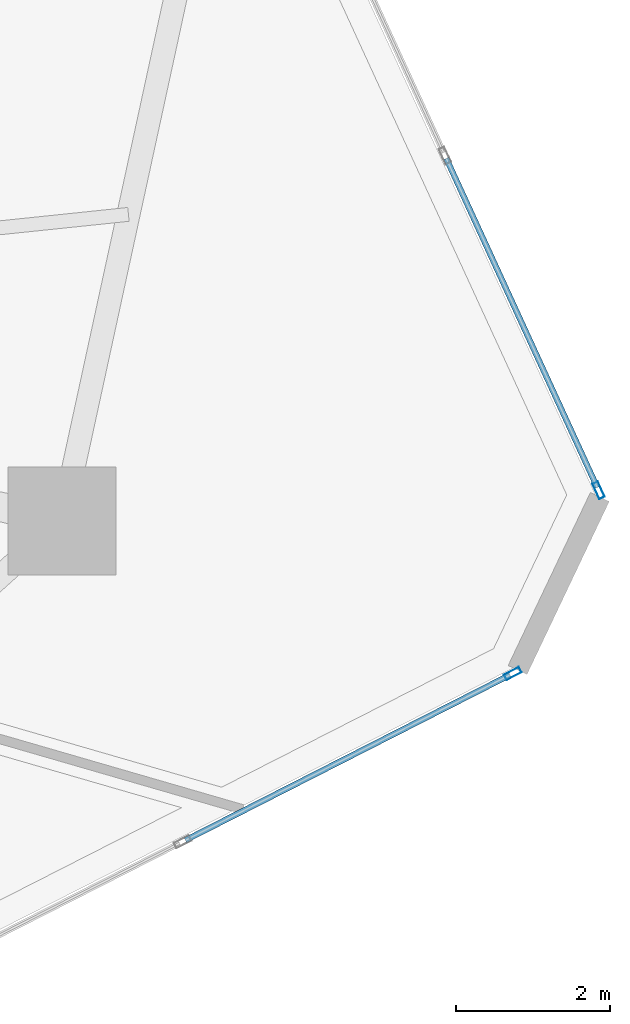
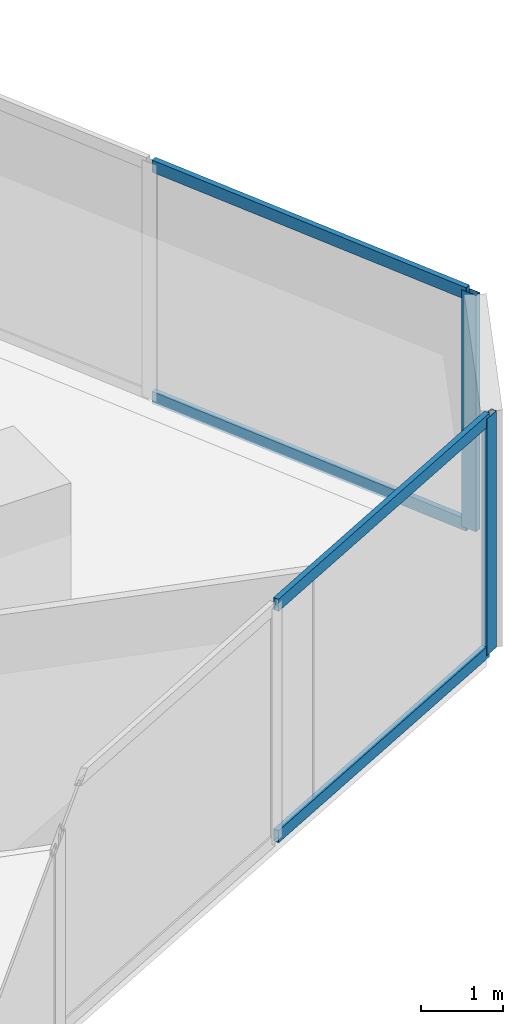
# One storey, part 11 of 24: 6 members, 2 elements without a shape of their own.
"""IFC4 building model written with IfcOpenShell, lengths in metres."""

from ifc_helpers import new_model, si_unit, direction, frame, origin, origin_2d, place, context, subcontext, project, spatial, hollow_rectangle, extrude, source, transform, mapped, material, layer, layer_set, material_profile, profile_set, type_object, type_shapes, element, aggregate, save


model = new_model("IFC4")

# Units and contexts
model_context = context("Model", 3, precision=1e-05, world=origin(), true_north=direction((0.0, 1.0)))
body_context = subcontext(model_context, "Body", "Model", "MODEL_VIEW")
ifc_project = project(units=[si_unit("LENGTHUNIT", "METRE"), si_unit("AREAUNIT", "SQUARE_METRE"), si_unit("VOLUMEUNIT", "CUBIC_METRE"), si_unit("PLANEANGLEUNIT", "RADIAN"), si_unit("MASSUNIT", "GRAM", prefix="KILO")], contexts=[model_context])

# Site, building, storey
site_placement = place(None, origin())
site = spatial("IfcSite", under=ifc_project, at=site_placement, CompositionType="ELEMENT")
building_placement = place(site_placement, origin())
building = spatial("IfcBuilding", under=site, at=building_placement, Name="Talar Marvaseh", CompositionType="ELEMENT")
storey_placement = place(building_placement, frame((0.0, 0.0, 39.199951171875)))
storey = spatial("IfcBuildingStorey", under=building, at=storey_placement, Name="L09", CompositionType="ELEMENT", Elevation=39.199951171875)

# Curtain wall, member
ifc_material = material(Name="Architectural Aluminium", Category="aluminium")
ifc_layer = layer(ifc_material, 0.219970703125)
ifc_layer_set = layer_set([ifc_layer], Name="Architectural Aluminium")
curtain_wall_type = type_object("IfcCurtainWallType", Name="Unitised Low-E Museum Curtain Wall Z1", PredefinedType="NOTDEFINED", material=ifc_layer_set)
curtain_wall_1_placement = place(storey_placement, origin())
curtain_wall_1 = element("IfcCurtainWall", 1, at=curtain_wall_1_placement, inside=storey, type_object=curtain_wall_type, Name="L09 Unitised Low-E Museum Curtain Wall Z1", PredefinedType="NOTDEFINED")
ifc_material_profile_1 = material_profile(ifc_material, hollow_rectangle(XDim=0.080078125, YDim=0.219970703125, WallThickness=0.0048828125, at=origin_2d()), Name="RHS220x80x5")
ifc_profile_set_1 = profile_set([ifc_material_profile_1], Name="Architectural Aluminium")
member_type_1 = type_object("IfcMemberType", Name="Unitised Curtain Wall Heavy Mullion RHS220x80x5", PredefinedType="MULLION", material=ifc_profile_set_1)
shared_shape_1 = source(origin(), body_context, "Body", "SweptSolid", [
    extrude(hollow_rectangle(XDim=0.080078125, YDim=0.219970703125, WallThickness=0.0048828125, at=origin_2d()), origin(), (0.0, 0.0, 1.0), 3.52001953125),
])
type_shapes(member_type_1, [shared_shape_1])
member_1_placement = place(storey_placement, frame((52.003662109375, 23.23583984375, 0.0), z_axis=(0.0, 0.0, 1.0), x_axis=(0.908844674972, 0.417134698599, 0.0)))
member_1 = element("IfcMember", 2, at=member_1_placement, type_object=member_type_1, Name="CW-Z1 mullion 5", PredefinedType="MULLION", context=body_context, shape_type="MappedRepresentation", body=[
    mapped(shared_shape_1, transform((0.0, 0.0, 0.0), x_axis=(1.0, 0.0, 0.0), y_axis=(0.0, 1.0, 0.0), z_axis=(0.0, 0.0, 1.0), scale=1.0)),
])

# Curtain wall, members
curtain_wall_2_placement = place(storey_placement, origin())
curtain_wall_2 = element("IfcCurtainWall", 3, at=curtain_wall_2_placement, inside=storey, type_object=curtain_wall_type, Name="L09 Unitised Low-E Museum Curtain Wall Z1", PredefinedType="NOTDEFINED")
member_2_placement = place(storey_placement, frame((50.890869140625, 20.859375, 0.0), z_axis=(0.0, 0.0, 1.0), x_axis=(0.453850095655, -0.891078049709, 0.0)))
member_2 = element("IfcMember", 4, at=member_2_placement, type_object=member_type_1, Name="CW-Z1 mullion 1", PredefinedType="MULLION", context=body_context, shape_type="MappedRepresentation", body=[
    mapped(shared_shape_1, transform((0.0, 0.0, 0.0), x_axis=(1.0, 0.0, 0.0), y_axis=(0.0, 1.0, 0.0), z_axis=(0.0, 0.0, 1.0), scale=1.0)),
])
ifc_material_profile_2 = material_profile(ifc_material, hollow_rectangle(XDim=0.074951171875, YDim=0.179931640625, WallThickness=0.0048828125, at=origin_2d()), Name="RHS180x75x5")
ifc_profile_set_2 = profile_set([ifc_material_profile_2], Name="Architectural Aluminium")
member_type_2 = type_object("IfcMemberType", Name="Unitised Curtain Wall Transom RHS180x75x5", PredefinedType="USERDEFINED", material=ifc_profile_set_2)
shared_shape_2 = source(origin(), body_context, "Body", "SweptSolid", [
    extrude(hollow_rectangle(XDim=0.074951171875, YDim=0.179931640625, WallThickness=0.0048828125, at=origin_2d()), origin(), (0.0, 0.0, 1.0), 4.725341796875),
])
member_3_placement = place(storey_placement, frame((50.855224609375, 20.84130859375, 0.03759765625), z_axis=(-0.891085623768, -0.453835224629, 0.0), x_axis=(0.453835224629, -0.891085623768, 0.0)))
member_3 = element("IfcMember", 5, at=member_3_placement, type_object=member_type_2, Name="CW-Z1 transom 1.1", ObjectType="TRANSOM", PredefinedType="USERDEFINED", context=body_context, shape_type="MappedRepresentation", body=[
    mapped(shared_shape_2, transform((0.0, 0.0, 0.0), x_axis=(1.0, 0.0, 0.0), y_axis=(0.0, 1.0, 0.0), z_axis=(0.0, 0.0, 1.0), scale=1.0)),
])
member_4_placement = place(storey_placement, frame((50.855224609375, 20.84130859375, 3.482666015625), z_axis=(-0.891085623768, -0.453835224629, 0.0), x_axis=(0.453835224629, -0.891085623768, 0.0)))
member_4 = element("IfcMember", 6, at=member_4_placement, type_object=member_type_2, Name="CW-Z1 transom 1.2", ObjectType="TRANSOM", PredefinedType="USERDEFINED", context=body_context, shape_type="MappedRepresentation", body=[
    mapped(shared_shape_2, transform((0.0, 0.0, 0.0), x_axis=(1.0, 0.0, 0.0), y_axis=(0.0, 1.0, 0.0), z_axis=(0.0, 0.0, 1.0), scale=1.0)),
])
aggregate(curtain_wall_2, [member_2, member_3, member_4])

# Member
shared_shape_3 = source(origin(), body_context, "Body", "SweptSolid", [
    extrude(hollow_rectangle(XDim=0.074951171875, YDim=0.179931640625, WallThickness=0.0048828125, at=origin_2d()), origin(), (0.0, 0.0, 1.0), 4.696533203125),
])
type_shapes(member_type_2, [shared_shape_2, shared_shape_3])
member_5_placement = place(storey_placement, frame((50.02783203125, 27.540771484375, 0.03759765625), z_axis=(0.417105719114, -0.908857975199, 0.0), x_axis=(0.908857975199, 0.417105719114, 0.0)))
member_5 = element("IfcMember", 7, at=member_5_placement, type_object=member_type_2, Name="CW-Z1 transom 4.1", ObjectType="TRANSOM", PredefinedType="USERDEFINED", context=body_context, shape_type="MappedRepresentation", body=[
    mapped(shared_shape_3, transform((0.0, 0.0, 0.0), x_axis=(1.0, 0.0, 0.0), y_axis=(0.0, 1.0, 0.0), z_axis=(0.0, 0.0, 1.0), scale=1.0)),
])

member_6_placement = place(storey_placement, frame((50.02783203125, 27.540771484375, 3.482666015625), z_axis=(0.417105719114, -0.908857975199, 0.0), x_axis=(0.908857975199, 0.417105719114, 0.0)))
member_6 = element("IfcMember", 8, at=member_6_placement, type_object=member_type_2, Name="CW-Z1 transom 4.2", ObjectType="TRANSOM", PredefinedType="USERDEFINED", context=body_context, shape_type="MappedRepresentation", body=[
    mapped(shared_shape_3, transform((0.0, 0.0, 0.0), x_axis=(1.0, 0.0, 0.0), y_axis=(0.0, 1.0, 0.0), z_axis=(0.0, 0.0, 1.0), scale=1.0)),
])

aggregate(curtain_wall_1, [member_1, member_5, member_6])

save(model, "model.ifc")
